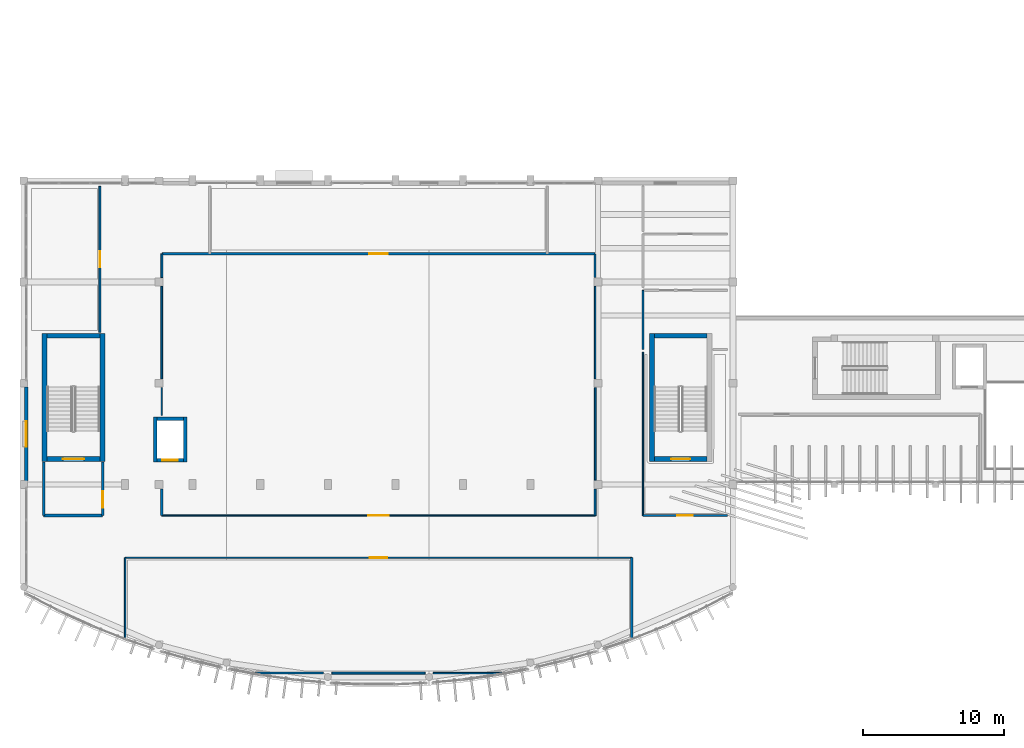
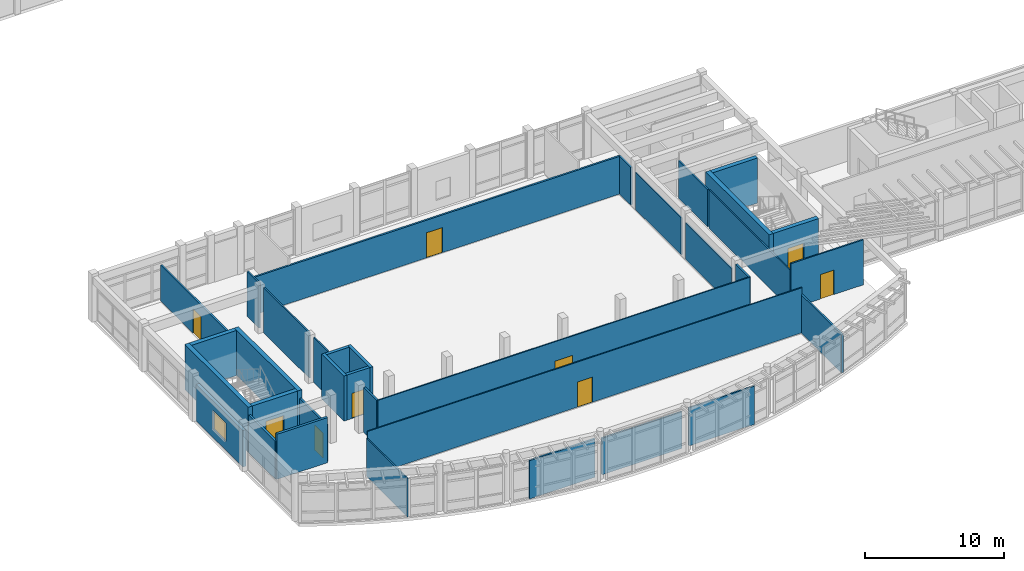
# One storey, part 35 of 60: 35 walls, 9 doors, 1 window, 10 openings.
"""IFC4 building model written with IfcOpenShell, lengths in metres."""

from ifc_helpers import new_model, si_unit, direction, frame, frame_2d, origin, place, context, subcontext, project, spatial, rectangle, extrude, material, layer, layer_set, type_object, element, fill, save


model = new_model("IFC4")

# Units and contexts
model_context = context("Model", 3, precision=1e-05, world=origin(), true_north=direction((0.0, 1.0)))
body_context = subcontext(model_context, "Body", "Model", "MODEL_VIEW")
ifc_project = project(units=[si_unit("LENGTHUNIT", "METRE"), si_unit("AREAUNIT", "SQUARE_METRE"), si_unit("VOLUMEUNIT", "CUBIC_METRE"), si_unit("PLANEANGLEUNIT", "RADIAN"), si_unit("MASSUNIT", "GRAM", prefix="KILO")], contexts=[model_context])

# Site, building, storey
site_placement = place(None, origin())
site = spatial("IfcSite", under=ifc_project, at=site_placement, CompositionType="ELEMENT")
building_placement = place(site_placement, origin())
building = spatial("IfcBuilding", under=site, at=building_placement, Name="Brisavento Harbour Community Centre", CompositionType="ELEMENT")
storey_placement = place(building_placement, frame((0.0, 0.0, 4.5)))
storey = spatial("IfcBuildingStorey", under=building, at=storey_placement, Name="L01", CompositionType="ELEMENT", Elevation=4.5)

# Walls
ifc_material_1 = material(Name="Concrete C40/50", Category="concrete")
ifc_layer_1 = layer(ifc_material_1, 0.35009765625, Name="Concrete C40/50")
ifc_layer_set_1 = layer_set([ifc_layer_1], Name="Concrete C40/50")
wall_type_1 = type_object("IfcWallType", Name="WL-CORE-350", PredefinedType="SHEAR", material=ifc_layer_set_1)
for number, where, z_axis, x_axis, name in (
    (1, (5.574951171875, 16.050048828125, 0.0), (0.0, 0.0, 1.0), (0.0, 1.0, 0.0), "L01 core C1 shear wall L"),
    (2, (1.47509765625, 25.14990234375, 0.0), (0.0, 0.0, 1.0), (0.0, -1.0, 0.0), "L01 core C1 shear wall R"),
):
    element("IfcWall", number, at=place(storey_placement, frame(where, z_axis=z_axis, x_axis=x_axis)), inside=storey, type_object=wall_type_1, Name=name, PredefinedType="SHEAR", context=body_context, shape_type="SweptSolid", body=[
        extrude(rectangle(XDim=9.099853515625, YDim=0.35009765625, at=frame_2d((4.5498046875, 0.0))), origin(), (0.0, 0.0, 1.0), 3.949951171875),
    ])
wall_1_placement = place(storey_placement, frame((5.39990234375, 24.97509765625, 0.0), z_axis=(0.0, 0.0, 1.0), x_axis=(-1.0, 0.0, 0.0)))
element("IfcWall", 3, at=wall_1_placement, inside=storey, type_object=wall_type_1, Name="L01 core C1 shear wall F", PredefinedType="SHEAR", context=body_context, shape_type="SweptSolid", body=[
    extrude(rectangle(XDim=3.75, YDim=0.35009765625, at=frame_2d((1.875, 0.0))), origin(), (0.0, 0.0, 1.0), 3.949951171875),
])

# Wall, opening, door
wall_2_placement = place(storey_placement, frame((1.64990234375, 16.22509765625, 0.0), z_axis=(0.0, 0.0, 1.0), x_axis=(1.0, 0.0, 0.0)))
wall_2 = element("IfcWall", 4, at=wall_2_placement, inside=storey, type_object=wall_type_1, Name="L01 core C1 shear wall N", PredefinedType="SHEAR", context=body_context, shape_type="SweptSolid", body=[
    extrude(rectangle(XDim=3.75, YDim=0.35009765625, at=frame_2d((1.875, 0.0))), origin(), (0.0, 0.0, 1.0), 3.949951171875),
])
opening_1_placement = place(wall_2_placement, frame((1.125, 0.0, 0.0)))
opening_1 = element("IfcOpeningElement", 5, at=opening_1_placement, cuts=wall_2, Name="Opening SD-01", PredefinedType="OPENING", context=body_context, shape_type="SweptSolid", body=[
    extrude(rectangle(XDim=1.5, YDim=2.199951171875, at=frame_2d((0.75, 1.10009765625))), frame((0.0, 0.18505859375, 0.0), z_axis=(0.0, -1.0, 0.0), x_axis=(1.0, 0.0, 0.0)), (0.0, 0.0, 1.0), 0.3701171875),
])
ifc_material_2 = material(Name="Fire-rated steel door assembly", Category="steel")
door_type_1 = type_object("IfcDoorType", Name="DR-STAIR-150x220", OperationType="NOTDEFINED", PredefinedType="DOOR", material=ifc_material_2)
door_1_placement = place(opening_1_placement, origin())
door_1 = element("IfcDoor", 6, at=door_1_placement, inside=storey, type_object=door_type_1, Name="L01 exit stair ST-01 fire door", OperationType="SINGLE_SWING_RIGHT", OverallHeight=2.199951171875, OverallWidth=1.5, PredefinedType="DOOR", context=body_context, shape_type="SweptSolid", body=[
    extrude(rectangle(XDim=1.5, YDim=2.199951171875, at=frame_2d((0.75, 1.10009765625))), frame((0.0, 0.02490234375, 0.0), z_axis=(0.0, -1.0, 0.0), x_axis=(1.0, 0.0, 0.0)), (0.0, 0.0, 1.0), 0.050048828125),
])
fill(opening_1, door_1)

# Walls
wall_3_placement = place(storey_placement, frame((44.625, 25.14990234375, 0.0), z_axis=(0.0, 0.0, 1.0), x_axis=(0.0, -1.0, 0.0)))
element("IfcWall", 7, at=wall_3_placement, inside=storey, type_object=wall_type_1, Name="L01 core C1B shear wall R", PredefinedType="SHEAR", context=body_context, shape_type="SweptSolid", body=[
    extrude(rectangle(XDim=9.099853515625, YDim=0.35009765625, at=frame_2d((4.5498046875, 0.0))), origin(), (0.0, 0.0, 1.0), 3.949951171875),
])
wall_4_placement = place(storey_placement, frame((48.550048828125, 24.97509765625, 0.0), z_axis=(0.0, 0.0, 1.0), x_axis=(-1.0, 0.0, 0.0)))
element("IfcWall", 8, at=wall_4_placement, inside=storey, type_object=wall_type_1, Name="L01 core C1B shear wall F", PredefinedType="SHEAR", context=body_context, shape_type="SweptSolid", body=[
    extrude(rectangle(XDim=3.75, YDim=0.35009765625, at=frame_2d((1.875, 0.0))), origin(), (0.0, 0.0, 1.0), 3.949951171875),
])

# Wall, opening, door
wall_5_placement = place(storey_placement, frame((44.800048828125, 16.22509765625, 0.0), z_axis=(0.0, 0.0, 1.0), x_axis=(1.0, 0.0, 0.0)))
wall_5 = element("IfcWall", 9, at=wall_5_placement, inside=storey, type_object=wall_type_1, Name="L01 core C1B shear wall N", PredefinedType="SHEAR", context=body_context, shape_type="SweptSolid", body=[
    extrude(rectangle(XDim=3.75, YDim=0.35009765625, at=frame_2d((1.875, 0.0))), origin(), (0.0, 0.0, 1.0), 3.949951171875),
])
opening_2_placement = place(wall_5_placement, frame((1.199951171875, 0.0, 0.0)))
opening_2 = element("IfcOpeningElement", 10, at=opening_2_placement, cuts=wall_5, Name="Opening SD-02", PredefinedType="OPENING", context=body_context, shape_type="SweptSolid", body=[
    extrude(rectangle(XDim=1.35009765625, YDim=2.199951171875, at=frame_2d((0.675048828125, 1.10009765625))), frame((0.0, 0.18505859375, 0.0), z_axis=(0.0, -1.0, 0.0), x_axis=(1.0, 0.0, 0.0)), (0.0, 0.0, 1.0), 0.3701171875),
])
door_type_2 = type_object("IfcDoorType", Name="DR-STAIR-135x220", OperationType="NOTDEFINED", PredefinedType="DOOR", material=ifc_material_2)
door_2_placement = place(opening_2_placement, origin())
door_2 = element("IfcDoor", 11, at=door_2_placement, inside=storey, type_object=door_type_2, Name="L01 exit stair ST-02 fire door", OperationType="SINGLE_SWING_LEFT", OverallHeight=2.199951171875, OverallWidth=1.35009765625, PredefinedType="DOOR", context=body_context, shape_type="SweptSolid", body=[
    extrude(rectangle(XDim=1.35009765625, YDim=2.199951171875, at=frame_2d((0.675048828125, 1.10009765625))), frame((0.0, 0.02490234375, 0.0), z_axis=(0.0, -1.0, 0.0), x_axis=(1.0, 0.0, 0.0)), (0.0, 0.0, 1.0), 0.050048828125),
])
fill(opening_2, door_2)

# Wall, opening, window
ifc_material_3 = material(Name="Terracotta masonry unit", Category="masonry")
ifc_layer_2 = layer(ifc_material_3, 0.260009765625, Name="Terracotta masonry unit")
ifc_layer_set_2 = layer_set([ifc_layer_2], Name="Terracotta masonry unit")
wall_type_2 = type_object("IfcWallType", Name="WL-EXT-260", PredefinedType="SOLIDWALL", material=ifc_layer_set_2)
wall_6_placement = place(storey_placement, frame((0.179931640625, 14.659912109375, 0.0), z_axis=(0.0, 0.0, 1.0), x_axis=(0.0, 1.0, 0.0)))
wall_6 = element("IfcWall", 12, at=wall_6_placement, inside=storey, type_object=wall_type_2, Name="L01 V1 exterior wall 0177", PredefinedType="SOLIDWALL", context=body_context, shape_type="SweptSolid", body=[
    extrude(rectangle(XDim=6.68017578125, YDim=0.260009765625, at=frame_2d((3.340087890625, 0.0))), origin(), (0.0, 0.0, 1.0), 3.199951171875),
])
opening_3_placement = place(wall_6_placement, frame((2.43994140625, 0.0, 0.75)))
opening_3 = element("IfcOpeningElement", 13, at=opening_3_placement, cuts=wall_6, Name="Opening W-21", PredefinedType="OPENING", context=body_context, shape_type="SweptSolid", body=[
    extrude(rectangle(XDim=1.800048828125, YDim=1.64990234375, at=frame_2d((0.89990234375, 0.824951171875))), frame((0.0, 0.14013671875, 0.0), z_axis=(0.0, -1.0, 0.0), x_axis=(1.0, 0.0, 0.0)), (0.0, 0.0, 1.0), 0.280029296875),
])
ifc_material_4 = material(Name="Solar-control laminated low-E glass", Category="glass")
window_type = type_object("IfcWindowType", Name="WIN-CAS-21", PartitioningType="SINGLE_PANEL", PredefinedType="WINDOW", material=ifc_material_4)
window_placement = place(opening_3_placement, origin())
window = element("IfcWindow", 14, at=window_placement, inside=storey, type_object=window_type, Name="L01 V1 impact casement window 0057", OverallHeight=1.64990234375, OverallWidth=1.800048828125, PartitioningType="SINGLE_PANEL", PredefinedType="WINDOW", context=body_context, shape_type="SweptSolid", body=[
    extrude(rectangle(XDim=1.800048828125, YDim=1.64990234375, at=frame_2d((0.89990234375, 0.824951171875))), frame((0.0, 0.030029296875, 0.0), z_axis=(0.0, -1.0, 0.0), x_axis=(1.0, 0.0, 0.0)), (0.0, 0.0, 1.0), 0.06005859375),
])
fill(opening_3, window)

# Wall
ifc_material_5 = material(Name="Concrete masonry blockwork", Category="masonry")
ifc_layer_3 = layer(ifc_material_5, 0.199951171875, Name="Concrete masonry blockwork")
ifc_layer_set_3 = layer_set([ifc_layer_3], Name="Concrete masonry blockwork")
wall_type_3 = type_object("IfcWallType", Name="WL-FIR-200", PredefinedType="PARTITIONING", material=ifc_layer_set_3)
wall_7_placement = place(storey_placement, frame((1.39990234375, 12.199951171875, 0.0), z_axis=(0.0, 0.0, 1.0), x_axis=(1.0, 0.0, 0.0)))
element("IfcWall", 15, at=wall_7_placement, inside=storey, type_object=wall_type_3, Name="L01 Firefighting Lobby L01 partition 0129", PredefinedType="PARTITIONING", context=body_context, shape_type="SweptSolid", body=[
    extrude(rectangle(XDim=4.2001953125, YDim=0.199951171875, at=frame_2d((2.10009765625, 0.0))), origin(), (0.0, 0.0, 1.0), 3.949951171875),
])

# Wall, opening, door
ifc_material_6 = material(Name="Lightweight stud partition", Category="other")
ifc_layer_4 = layer(ifc_material_6, 0.10009765625, Name="Lightweight stud partition")
ifc_layer_set_4 = layer_set([ifc_layer_4], Name="Lightweight stud partition")
wall_type_4 = type_object("IfcWallType", Name="WL-PRT-100", PredefinedType="PARTITIONING", material=ifc_layer_set_4)
wall_8_placement = place(storey_placement, frame((9.800048828125, 12.199951171875, 0.0), z_axis=(0.0, 0.0, 1.0), x_axis=(1.0, 0.0, 0.0)))
wall_8 = element("IfcWall", 16, at=wall_8_placement, inside=storey, type_object=wall_type_4, Name="L01 Main Community Hall partition 0131", PredefinedType="PARTITIONING", context=body_context, shape_type="SweptSolid", body=[
    extrude(rectangle(XDim=30.800048828125, YDim=0.10009765625, at=frame_2d((15.39990234375, 0.0))), origin(), (0.0, 0.0, 1.0), 3.949951171875),
])
opening_4_placement = place(wall_8_placement, frame((14.675048828125, 0.0, 0.0)))
opening_4 = element("IfcOpeningElement", 17, at=opening_4_placement, cuts=wall_8, Name="Opening ID-04", PredefinedType="OPENING", context=body_context, shape_type="SweptSolid", body=[
    extrude(rectangle(XDim=1.449951171875, YDim=2.25, at=frame_2d((0.72509765625, 1.125))), frame((0.0, 0.06005859375, 0.0), z_axis=(0.0, -1.0, 0.0), x_axis=(1.0, 0.0, 0.0)), (0.0, 0.0, 1.0), 0.1201171875),
])
ifc_material_7 = material(Name="Solid-core tropical timber door", Category="wood")
door_type_3 = type_object("IfcDoorType", Name="DR-INT-145x225", OperationType="NOTDEFINED", PredefinedType="DOOR", material=ifc_material_7)
door_3_placement = place(opening_4_placement, origin())
door_3 = element("IfcDoor", 18, at=door_3_placement, inside=storey, type_object=door_type_3, Name="L01 Main Community Hall door 0048", OperationType="SINGLE_SWING_LEFT", OverallHeight=2.25, OverallWidth=1.449951171875, PredefinedType="DOOR", context=body_context, shape_type="SweptSolid", body=[
    extrude(rectangle(XDim=1.449951171875, YDim=2.25, at=frame_2d((0.72509765625, 1.125))), frame((0.0, 0.02490234375, 0.0), z_axis=(0.0, -1.0, 0.0), x_axis=(1.0, 0.0, 0.0)), (0.0, 0.0, 1.0), 0.050048828125),
])
fill(opening_4, door_3)

# Walls
wall_9_placement = place(storey_placement, frame((9.800048828125, 21.284912109375, 0.0), z_axis=(0.0, 0.0, 1.0), x_axis=(0.0, -1.0, 0.0)))
element("IfcWall", 19, at=wall_9_placement, inside=storey, type_object=wall_type_4, Name="L01 Main Community Hall partition 0135", PredefinedType="PARTITIONING", context=body_context, shape_type="SweptSolid", body=[
    extrude(rectangle(XDim=1.974853515625, YDim=0.10009765625, at=frame_2d((0.9873046875, 0.0))), origin(), (0.0, 0.0, 1.0), 3.949951171875),
])
wall_10_placement = place(storey_placement, frame((40.60009765625, 21.9150390625, 0.0), z_axis=(0.0, 0.0, 1.0), x_axis=(0.0, 1.0, 0.0)))
element("IfcWall", 20, at=wall_10_placement, inside=storey, type_object=wall_type_4, Name="L01 Main Community Hall partition 0139", PredefinedType="PARTITIONING", context=body_context, shape_type="SweptSolid", body=[
    extrude(rectangle(XDim=6.570068359375, YDim=0.10009765625, at=frame_2d((3.28515625, 0.0))), origin(), (0.0, 0.0, 1.0), 3.25),
])

# Wall, opening, door
wall_11_placement = place(storey_placement, frame((43.199951171875, 9.199951171875, 0.0), z_axis=(0.0, 0.0, 1.0), x_axis=(-1.0, 0.0, 0.0)))
wall_11 = element("IfcWall", 21, at=wall_11_placement, inside=storey, type_object=wall_type_4, Name="L01 Assembly Pre-Function Foyer partition 0143", PredefinedType="PARTITIONING", context=body_context, shape_type="SweptSolid", body=[
    extrude(rectangle(XDim=36.0, YDim=0.10009765625, at=frame_2d((18.0, 0.0))), origin(), (0.0, 0.0, 1.0), 3.949951171875),
])
opening_5_placement = place(wall_11_placement, frame((17.375, 0.0, 0.0)))
opening_5 = element("IfcOpeningElement", 22, at=opening_5_placement, cuts=wall_11, Name="Opening ID-06", PredefinedType="OPENING", context=body_context, shape_type="SweptSolid", body=[
    extrude(rectangle(XDim=1.25, YDim=2.199951171875, at=frame_2d((0.625, 1.10009765625))), frame((0.0, 0.06005859375, 0.0), z_axis=(0.0, -1.0, 0.0), x_axis=(1.0, 0.0, 0.0)), (0.0, 0.0, 1.0), 0.1201171875),
])
door_type_4 = type_object("IfcDoorType", Name="DR-INT-125x220", OperationType="NOTDEFINED", PredefinedType="DOOR", material=ifc_material_7)
door_4_placement = place(opening_5_placement, origin())
door_4 = element("IfcDoor", 23, at=door_4_placement, inside=storey, type_object=door_type_4, Name="L01 Assembly Pre-Function Foyer door 0050", OperationType="SINGLE_SWING_LEFT", OverallHeight=2.199951171875, OverallWidth=1.25, PredefinedType="DOOR", context=body_context, shape_type="SweptSolid", body=[
    extrude(rectangle(XDim=1.25, YDim=2.199951171875, at=frame_2d((0.625, 1.10009765625))), frame((0.0, 0.02490234375, 0.0), z_axis=(0.0, -1.0, 0.0), x_axis=(1.0, 0.0, 0.0)), (0.0, 0.0, 1.0), 0.050048828125),
])
fill(opening_5, door_4)

# Walls
wall_12_placement = place(storey_placement, frame((7.199951171875, 9.199951171875, 0.0), z_axis=(0.0, 0.0, 1.0), x_axis=(0.0, -1.0, 0.0)))
element("IfcWall", 24, at=wall_12_placement, inside=storey, type_object=wall_type_4, Name="L01 Assembly Pre-Function Foyer partition 0147", PredefinedType="PARTITIONING", context=body_context, shape_type="SweptSolid", body=[
    extrude(rectangle(XDim=5.83447265625, YDim=0.10009765625, at=frame_2d((2.917236328125, 0.0))), origin(), (0.0, 0.0, 1.0), 3.35009765625),
])
wall_13_placement = place(storey_placement, frame((44.0, 23.800048828125, 0.0), z_axis=(0.0, 0.0, 1.0), x_axis=(0.0, -1.0, 0.0)))
element("IfcWall", 25, at=wall_13_placement, inside=storey, type_object=wall_type_4, Name="L01 Choir Robing and Warm-Up Room partition 0151", PredefinedType="PARTITIONING", context=body_context, shape_type="SweptSolid", body=[
    extrude(rectangle(XDim=11.60009765625, YDim=0.10009765625, at=frame_2d((5.800048828125, 0.0))), origin(), (0.0, 0.0, 1.0), 3.35009765625),
])
ifc_material_8 = material(Name="Gypsum metal-stud partition", Category="other")
ifc_layer_5 = layer(ifc_material_8, 0.1201171875, Name="Gypsum metal-stud partition")
ifc_layer_set_5 = layer_set([ifc_layer_5], Name="Gypsum metal-stud partition")
wall_type_5 = type_object("IfcWallType", Name="WL-PRT-120", PredefinedType="PARTITIONING", material=ifc_layer_set_5)
wall_14_placement = place(storey_placement, frame((9.800048828125, 28.485107421875, 0.0), z_axis=(0.0, 0.0, 1.0), x_axis=(0.0, -1.0, 0.0)))
element("IfcWall", 26, at=wall_14_placement, inside=storey, type_object=wall_type_5, Name="L01 Main Community Hall partition 0134", PredefinedType="PARTITIONING", context=body_context, shape_type="SweptSolid", body=[
    extrude(rectangle(XDim=6.570068359375, YDim=0.1201171875, at=frame_2d((3.28515625, 0.0))), origin(), (0.0, 0.0, 1.0), 3.949951171875),
])
wall_15_placement = place(storey_placement, frame((40.60009765625, 14.715087890625, 0.0), z_axis=(0.0, 0.0, 1.0), x_axis=(0.0, 1.0, 0.0)))
element("IfcWall", 27, at=wall_15_placement, inside=storey, type_object=wall_type_5, Name="L01 Main Community Hall partition 0138", PredefinedType="PARTITIONING", context=body_context, shape_type="SweptSolid", body=[
    extrude(rectangle(XDim=6.56982421875, YDim=0.1201171875, at=frame_2d((3.284912109375, 0.0))), origin(), (0.0, 0.0, 1.0), 3.199951171875),
])
wall_16_placement = place(storey_placement, frame((29.090087890625, 1.0, 0.0), z_axis=(0.0, 0.0, 1.0), x_axis=(1.0, 0.0, 0.0)))
element("IfcWall", 28, at=wall_16_placement, inside=storey, type_object=wall_type_5, Name="L01 Assembly Pre-Function Foyer partition 0146", PredefinedType="PARTITIONING", context=body_context, shape_type="SweptSolid", body=[
    extrude(rectangle(XDim=5.439208984375, YDim=0.1201171875, at=frame_2d((2.7197265625, 0.0))), origin(), (0.0, 0.0, 1.0), 3.35009765625),
])

# Wall, opening, door
wall_17_placement = place(storey_placement, frame((44.0, 12.199951171875, 0.0), z_axis=(0.0, 0.0, 1.0), x_axis=(1.0, 0.0, 0.0)))
wall_17 = element("IfcWall", 29, at=wall_17_placement, inside=storey, type_object=wall_type_5, Name="L01 Choir Robing and Warm-Up Room partition 0150", PredefinedType="PARTITIONING", context=body_context, shape_type="SweptSolid", body=[
    extrude(rectangle(XDim=6.0, YDim=0.1201171875, at=frame_2d((3.0, 0.0))), origin(), (0.0, 0.0, 1.0), 3.949951171875),
])
opening_6_placement = place(wall_17_placement, frame((2.449951171875, 0.0, 0.0)))
opening_6 = element("IfcOpeningElement", 30, at=opening_6_placement, cuts=wall_17, Name="Opening ID-08", PredefinedType="OPENING", context=body_context, shape_type="SweptSolid", body=[
    extrude(rectangle(XDim=1.10009765625, YDim=2.14990234375, at=frame_2d((0.550048828125, 1.074951171875))), frame((0.0, 0.070068359375, 0.0), z_axis=(0.0, -1.0, 0.0), x_axis=(1.0, 0.0, 0.0)), (0.0, 0.0, 1.0), 0.14013671875),
])
door_type_5 = type_object("IfcDoorType", Name="DR-INT-110x215", OperationType="NOTDEFINED", PredefinedType="DOOR", material=ifc_material_7)
door_5_placement = place(opening_6_placement, origin())
door_5 = element("IfcDoor", 31, at=door_5_placement, inside=storey, type_object=door_type_5, Name="L01 Choir Robing and Warm-Up Room door 0052", OperationType="SINGLE_SWING_LEFT", OverallHeight=2.14990234375, OverallWidth=1.10009765625, PredefinedType="DOOR", context=body_context, shape_type="SweptSolid", body=[
    extrude(rectangle(XDim=1.10009765625, YDim=2.14990234375, at=frame_2d((0.550048828125, 1.074951171875))), frame((0.0, 0.02490234375, 0.0), z_axis=(0.0, -1.0, 0.0), x_axis=(1.0, 0.0, 0.0)), (0.0, 0.0, 1.0), 0.050048828125),
])
fill(opening_6, door_5)

# Walls
wall_18_placement = place(storey_placement, frame((44.0, 28.199951171875, 0.0), z_axis=(0.0, 0.0, 1.0), x_axis=(0.0, -1.0, 0.0)))
element("IfcWall", 32, at=wall_18_placement, inside=storey, type_object=wall_type_5, Name="L01 Male WC L01 partition 0190", PredefinedType="PARTITIONING", context=body_context, shape_type="SweptSolid", body=[
    extrude(rectangle(XDim=4.199951171875, YDim=0.1201171875, at=frame_2d((2.10009765625, 0.0))), origin(), (0.0, 0.0, 1.0), 3.27001953125),
])
ifc_layer_6 = layer(ifc_material_8, 0.139892578125, Name="Gypsum metal-stud partition")
ifc_layer_set_6 = layer_set([ifc_layer_6], Name="Gypsum metal-stud partition")
wall_type_6 = type_object("IfcWallType", Name="WL-PRT-140", PredefinedType="PARTITIONING", material=ifc_layer_set_6)
wall_19_placement = place(storey_placement, frame((9.800048828125, 30.800048828125, 0.0), z_axis=(0.0, 0.0, 1.0), x_axis=(0.0, -1.0, 0.0)))
element("IfcWall", 33, at=wall_19_placement, inside=storey, type_object=wall_type_6, Name="L01 Main Community Hall partition 0133", PredefinedType="PARTITIONING", context=body_context, shape_type="SweptSolid", body=[
    extrude(rectangle(XDim=1.68505859375, YDim=0.139892578125, at=frame_2d((0.842529296875, 0.0))), origin(), (0.0, 0.0, 1.0), 3.949951171875),
])
wall_20_placement = place(storey_placement, frame((40.60009765625, 12.199951171875, 0.0), z_axis=(0.0, 0.0, 1.0), x_axis=(0.0, 1.0, 0.0)))
element("IfcWall", 34, at=wall_20_placement, inside=storey, type_object=wall_type_6, Name="L01 Main Community Hall partition 0137", PredefinedType="PARTITIONING", context=body_context, shape_type="SweptSolid", body=[
    extrude(rectangle(XDim=1.885009765625, YDim=0.139892578125, at=frame_2d((0.9423828125, 0.0))), origin(), (0.0, 0.0, 1.0), 3.949951171875),
])
wall_21_placement = place(storey_placement, frame((21.889892578125, 1.0, 0.0), z_axis=(0.0, 0.0, 1.0), x_axis=(1.0, 0.0, 0.0)))
element("IfcWall", 35, at=wall_21_placement, inside=storey, type_object=wall_type_6, Name="L01 Assembly Pre-Function Foyer partition 0145", PredefinedType="PARTITIONING", context=body_context, shape_type="SweptSolid", body=[
    extrude(rectangle(XDim=6.6201171875, YDim=0.139892578125, at=frame_2d((3.31005859375, 0.0))), origin(), (0.0, 0.0, 1.0), 3.199951171875),
])

# Wall, opening, door
wall_22_placement = place(storey_placement, frame((5.39990234375, 25.2099609375, 0.0), z_axis=(0.0, 0.0, 1.0), x_axis=(0.0, 1.0, 0.0)))
wall_22 = element("IfcWall", 36, at=wall_22_placement, inside=storey, type_object=wall_type_6, Name="L01 Performers Green Room partition 0149", PredefinedType="PARTITIONING", context=body_context, shape_type="SweptSolid", body=[
    extrude(rectangle(XDim=10.39013671875, YDim=0.139892578125, at=frame_2d((5.195068359375, 0.0))), origin(), (0.0, 0.0, 1.0), 3.14990234375),
])
opening_7_placement = place(wall_22_placement, frame((4.6201171875, 0.0, 0.0)))
opening_7 = element("IfcOpeningElement", 37, at=opening_7_placement, cuts=wall_22, Name="Opening ID-07", PredefinedType="OPENING", context=body_context, shape_type="SweptSolid", body=[
    extrude(rectangle(XDim=1.14990234375, YDim=2.14990234375, at=frame_2d((0.574951171875, 1.074951171875))), frame((0.0, 0.080078125, 0.0), z_axis=(0.0, -1.0, 0.0), x_axis=(1.0, 0.0, 0.0)), (0.0, 0.0, 1.0), 0.159912109375),
])
door_type_6 = type_object("IfcDoorType", Name="DR-INT-115x215", OperationType="NOTDEFINED", PredefinedType="DOOR", material=ifc_material_7)
door_6_placement = place(opening_7_placement, origin())
door_6 = element("IfcDoor", 38, at=door_6_placement, inside=storey, type_object=door_type_6, Name="L01 Performers Green Room door 0051", OperationType="SINGLE_SWING_RIGHT", OverallHeight=2.14990234375, OverallWidth=1.14990234375, PredefinedType="DOOR", context=body_context, shape_type="SweptSolid", body=[
    extrude(rectangle(XDim=1.14990234375, YDim=2.14990234375, at=frame_2d((0.574951171875, 1.074951171875))), frame((0.0, 0.02490234375, 0.0), z_axis=(0.0, -1.0, 0.0), x_axis=(1.0, 0.0, 0.0)), (0.0, 0.0, 1.0), 0.050048828125),
])
fill(opening_7, door_6)

ifc_material_9 = material(Name="Moisture-resistant stud partition", Category="other")
ifc_layer_7 = layer(ifc_material_9, 0.14990234375, Name="Moisture-resistant stud partition")
ifc_layer_set_7 = layer_set([ifc_layer_7], Name="Moisture-resistant stud partition")
wall_type_7 = type_object("IfcWallType", Name="WL-PRT-150", PredefinedType="PARTITIONING", material=ifc_layer_set_7)
wall_23_placement = place(storey_placement, frame((40.60009765625, 30.800048828125, 0.0), z_axis=(0.0, 0.0, 1.0), x_axis=(-1.0, 0.0, 0.0)))
wall_23 = element("IfcWall", 39, at=wall_23_placement, inside=storey, type_object=wall_type_7, Name="L01 Main Community Hall partition 0132", PredefinedType="PARTITIONING", context=body_context, shape_type="SweptSolid", body=[
    extrude(rectangle(XDim=30.800048828125, YDim=0.14990234375, at=frame_2d((15.39990234375, 0.0))), origin(), (0.0, 0.0, 1.0), 3.300048828125),
])
opening_8_placement = place(wall_23_placement, frame((14.75, 0.0, 0.0)))
opening_8 = element("IfcOpeningElement", 40, at=opening_8_placement, cuts=wall_23, Name="Opening ID-05", PredefinedType="OPENING", context=body_context, shape_type="SweptSolid", body=[
    extrude(rectangle(XDim=1.300048828125, YDim=2.199951171875, at=frame_2d((0.64990234375, 1.10009765625))), frame((0.0, 0.0849609375, 0.0), z_axis=(0.0, -1.0, 0.0), x_axis=(1.0, 0.0, 0.0)), (0.0, 0.0, 1.0), 0.169921875),
])
door_type_7 = type_object("IfcDoorType", Name="DR-INT-130x220", OperationType="NOTDEFINED", PredefinedType="DOOR", material=ifc_material_7)
door_7_placement = place(opening_8_placement, origin())
door_7 = element("IfcDoor", 41, at=door_7_placement, inside=storey, type_object=door_type_7, Name="L01 Sanctuary Platform door 0049", OperationType="SINGLE_SWING_RIGHT", OverallHeight=2.199951171875, OverallWidth=1.300048828125, PredefinedType="DOOR", context=body_context, shape_type="SweptSolid", body=[
    extrude(rectangle(XDim=1.300048828125, YDim=2.199951171875, at=frame_2d((0.64990234375, 1.10009765625))), frame((0.0, 0.02490234375, 0.0), z_axis=(0.0, -1.0, 0.0), x_axis=(1.0, 0.0, 0.0)), (0.0, 0.0, 1.0), 0.050048828125),
])
fill(opening_8, door_7)

# Walls
wall_24_placement = place(storey_placement, frame((9.800048828125, 14.0849609375, 0.0), z_axis=(0.0, 0.0, 1.0), x_axis=(0.0, -1.0, 0.0)))
element("IfcWall", 42, at=wall_24_placement, inside=storey, type_object=wall_type_7, Name="L01 Main Community Hall partition 0136", PredefinedType="PARTITIONING", context=body_context, shape_type="SweptSolid", body=[
    extrude(rectangle(XDim=1.885009765625, YDim=0.14990234375, at=frame_2d((0.9423828125, 0.0))), origin(), (0.0, 0.0, 1.0), 3.949951171875),
])
wall_25_placement = place(storey_placement, frame((40.60009765625, 29.114990234375, 0.0), z_axis=(0.0, 0.0, 1.0), x_axis=(0.0, 1.0, 0.0)))
element("IfcWall", 43, at=wall_25_placement, inside=storey, type_object=wall_type_7, Name="L01 Main Community Hall partition 0140", PredefinedType="PARTITIONING", context=body_context, shape_type="SweptSolid", body=[
    extrude(rectangle(XDim=1.68505859375, YDim=0.14990234375, at=frame_2d((0.842529296875, 0.0))), origin(), (0.0, 0.0, 1.0), 3.300048828125),
])
wall_26_placement = place(storey_placement, frame((15.870849609375, 1.0, 0.0), z_axis=(0.0, 0.0, 1.0), x_axis=(1.0, 0.0, 0.0)))
element("IfcWall", 44, at=wall_26_placement, inside=storey, type_object=wall_type_7, Name="L01 Assembly Pre-Function Foyer partition 0144", PredefinedType="PARTITIONING", context=body_context, shape_type="SweptSolid", body=[
    extrude(rectangle(XDim=5.439208984375, YDim=0.14990234375, at=frame_2d((2.7197265625, 0.0))), origin(), (0.0, 0.0, 1.0), 3.35009765625),
])
wall_27_placement = place(storey_placement, frame((43.199951171875, 3.365478515625, 0.0), z_axis=(0.0, 0.0, 1.0), x_axis=(0.0, 1.0, 0.0)))
element("IfcWall", 45, at=wall_27_placement, inside=storey, type_object=wall_type_7, Name="L01 Assembly Pre-Function Foyer partition 0148", PredefinedType="PARTITIONING", context=body_context, shape_type="SweptSolid", body=[
    extrude(rectangle(XDim=5.83447265625, YDim=0.14990234375, at=frame_2d((2.917236328125, 0.0))), origin(), (0.0, 0.0, 1.0), 3.35009765625),
])

# Wall, opening, door
ifc_material_10 = material(Name="Acoustic gypsum stud partition", Category="other")
ifc_layer_8 = layer(ifc_material_10, 0.159912109375, Name="Acoustic gypsum stud partition")
ifc_layer_set_8 = layer_set([ifc_layer_8], Name="Acoustic gypsum stud partition")
wall_type_8 = type_object("IfcWallType", Name="WL-PRT-160", PredefinedType="PARTITIONING", material=ifc_layer_set_8)
wall_28_placement = place(storey_placement, frame((5.60009765625, 12.199951171875, 0.0), z_axis=(0.0, 0.0, 1.0), x_axis=(0.0, 1.0, 0.0)))
wall_28 = element("IfcWall", 46, at=wall_28_placement, inside=storey, type_object=wall_type_8, Name="L01 Firefighting Lobby L01 partition 0128", PredefinedType="PARTITIONING", context=body_context, shape_type="SweptSolid", body=[
    extrude(rectangle(XDim=3.7900390625, YDim=0.159912109375, at=frame_2d((1.89501953125, 0.0))), origin(), (0.0, 0.0, 1.0), 3.300048828125),
])
opening_9_placement = place(wall_28_placement, frame((0.537109375, 0.0, 0.0)))
opening_9 = element("IfcOpeningElement", 47, at=opening_9_placement, cuts=wall_28, Name="Opening FD-01", PredefinedType="OPENING", context=body_context, shape_type="SweptSolid", body=[
    extrude(rectangle(XDim=1.199951171875, YDim=2.199951171875, at=frame_2d((0.60009765625, 1.10009765625))), frame((0.0, 0.08984375, 0.0), z_axis=(0.0, -1.0, 0.0), x_axis=(1.0, 0.0, 0.0)), (0.0, 0.0, 1.0), 0.179931640625),
])
ifc_material_11 = material(Name="Fire-rated hardwood door", Category="wood")
door_type_8 = type_object("IfcDoorType", Name="DR-FIRE-120x220", OperationType="NOTDEFINED", PredefinedType="DOOR", material=ifc_material_11)
door_8_placement = place(opening_9_placement, origin())
door_8 = element("IfcDoor", 48, at=door_8_placement, inside=storey, type_object=door_type_8, Name="L01 Firefighting Lobby L01 door 0047", OperationType="SINGLE_SWING_RIGHT", OverallHeight=2.199951171875, OverallWidth=1.199951171875, PredefinedType="DOOR", context=body_context, shape_type="SweptSolid", body=[
    extrude(rectangle(XDim=1.199951171875, YDim=2.199951171875, at=frame_2d((0.60009765625, 1.10009765625))), frame((0.0, 0.02490234375, 0.0), z_axis=(0.0, -1.0, 0.0), x_axis=(1.0, 0.0, 0.0)), (0.0, 0.0, 1.0), 0.050048828125),
])
fill(opening_9, door_8)

# Walls
ifc_layer_9 = layer(ifc_material_10, 0.179931640625, Name="Acoustic gypsum stud partition")
ifc_layer_set_9 = layer_set([ifc_layer_9], Name="Acoustic gypsum stud partition")
wall_type_9 = type_object("IfcWallType", Name="WL-PRT-180", PredefinedType="PARTITIONING", material=ifc_layer_set_9)
wall_29_placement = place(storey_placement, frame((1.39990234375, 15.989990234375, 0.0), z_axis=(0.0, 0.0, 1.0), x_axis=(0.0, -1.0, 0.0)))
element("IfcWall", 49, at=wall_29_placement, inside=storey, type_object=wall_type_9, Name="L01 Firefighting Lobby L01 partition 0130", PredefinedType="PARTITIONING", context=body_context, shape_type="SweptSolid", body=[
    extrude(rectangle(XDim=3.7900390625, YDim=0.179931640625, at=frame_2d((1.89501953125, 0.0))), origin(), (0.0, 0.0, 1.0), 3.300048828125),
])
ifc_material_12 = material(Name="Concrete C35/45", Category="concrete")
ifc_layer_10 = layer(ifc_material_12, 0.25, Name="Concrete C35/45")
ifc_layer_set_10 = layer_set([ifc_layer_10], Name="Concrete C35/45")
wall_type_10 = type_object("IfcWallType", Name="WL-SHF-250", PredefinedType="SOLIDWALL", material=ifc_layer_set_10)
for number, where, z_axis, x_axis, name in (
    (50, (9.324951171875, 16.0, 0.0), (0.0, 0.0, 1.0), (0.0, 1.0, 0.0), "L01 lift LC-01 shaft wall W"),
    (51, (11.47509765625, 19.199951171875, 0.0), (0.0, 0.0, 1.0), (0.0, -1.0, 0.0), "L01 lift LC-01 shaft wall E"),
):
    element("IfcWall", number, at=place(storey_placement, frame(where, z_axis=z_axis, x_axis=x_axis)), inside=storey, type_object=wall_type_10, Name=name, PredefinedType="SOLIDWALL", context=body_context, shape_type="SweptSolid", body=[
        extrude(rectangle(XDim=3.199951171875, YDim=0.25, at=frame_2d((1.60009765625, 0.0))), origin(), (0.0, 0.0, 1.0), 3.949951171875),
    ])

# Wall, opening, door
wall_30_placement = place(storey_placement, frame((9.449951171875, 16.125, 0.0), z_axis=(0.0, 0.0, 1.0), x_axis=(1.0, 0.0, 0.0)))
wall_30 = element("IfcWall", 52, at=wall_30_placement, inside=storey, type_object=wall_type_10, Name="L01 lift LC-01 shaft wall S", PredefinedType="SOLIDWALL", context=body_context, shape_type="SweptSolid", body=[
    extrude(rectangle(XDim=1.900146484375, YDim=0.25, at=frame_2d((0.9501953125, 0.0))), origin(), (0.0, 0.0, 1.0), 3.949951171875),
])
opening_10_placement = place(wall_30_placement, frame((0.39990234375, 0.0, 0.0)))
opening_10 = element("IfcOpeningElement", 53, at=opening_10_placement, cuts=wall_30, Name="Opening LD-01", PredefinedType="OPENING", context=body_context, shape_type="SweptSolid", body=[
    extrude(rectangle(XDim=1.10009765625, YDim=2.199951171875, at=frame_2d((0.550048828125, 1.10009765625))), frame((0.0, 0.135009765625, 0.0), z_axis=(0.0, -1.0, 0.0), x_axis=(1.0, 0.0, 0.0)), (0.0, 0.0, 1.0), 0.27001953125),
])
ifc_material_13 = material(Name="Stainless steel 1.4401", Category="steel")
door_type_9 = type_object("IfcDoorType", Name="DR-LIFT-110x220", OperationType="DOUBLE_DOOR_SLIDING", PredefinedType="DOOR", material=ifc_material_13)
door_9_placement = place(opening_10_placement, origin())
door_9 = element("IfcDoor", 54, at=door_9_placement, inside=storey, type_object=door_type_9, Name="L01 lift LC-01 landing sliding door", OperationType="DOUBLE_DOOR_SLIDING", OverallHeight=2.199951171875, OverallWidth=1.10009765625, PredefinedType="DOOR", context=body_context, shape_type="SweptSolid", body=[
    extrude(rectangle(XDim=1.10009765625, YDim=2.199951171875, at=frame_2d((0.550048828125, 1.10009765625))), frame((0.0, 0.02490234375, 0.0), z_axis=(0.0, -1.0, 0.0), x_axis=(1.0, 0.0, 0.0)), (0.0, 0.0, 1.0), 0.050048828125),
])
fill(opening_10, door_9)

# Wall
wall_31_placement = place(storey_placement, frame((11.35009765625, 19.074951171875, 0.0), z_axis=(0.0, 0.0, 1.0), x_axis=(-1.0, 0.0, 0.0)))
element("IfcWall", 55, at=wall_31_placement, inside=storey, type_object=wall_type_10, Name="L01 lift LC-01 shaft wall N", PredefinedType="SOLIDWALL", context=body_context, shape_type="SweptSolid", body=[
    extrude(rectangle(XDim=1.900146484375, YDim=0.25, at=frame_2d((0.9501953125, 0.0))), origin(), (0.0, 0.0, 1.0), 3.949951171875),
])

save(model, "model.ifc")
